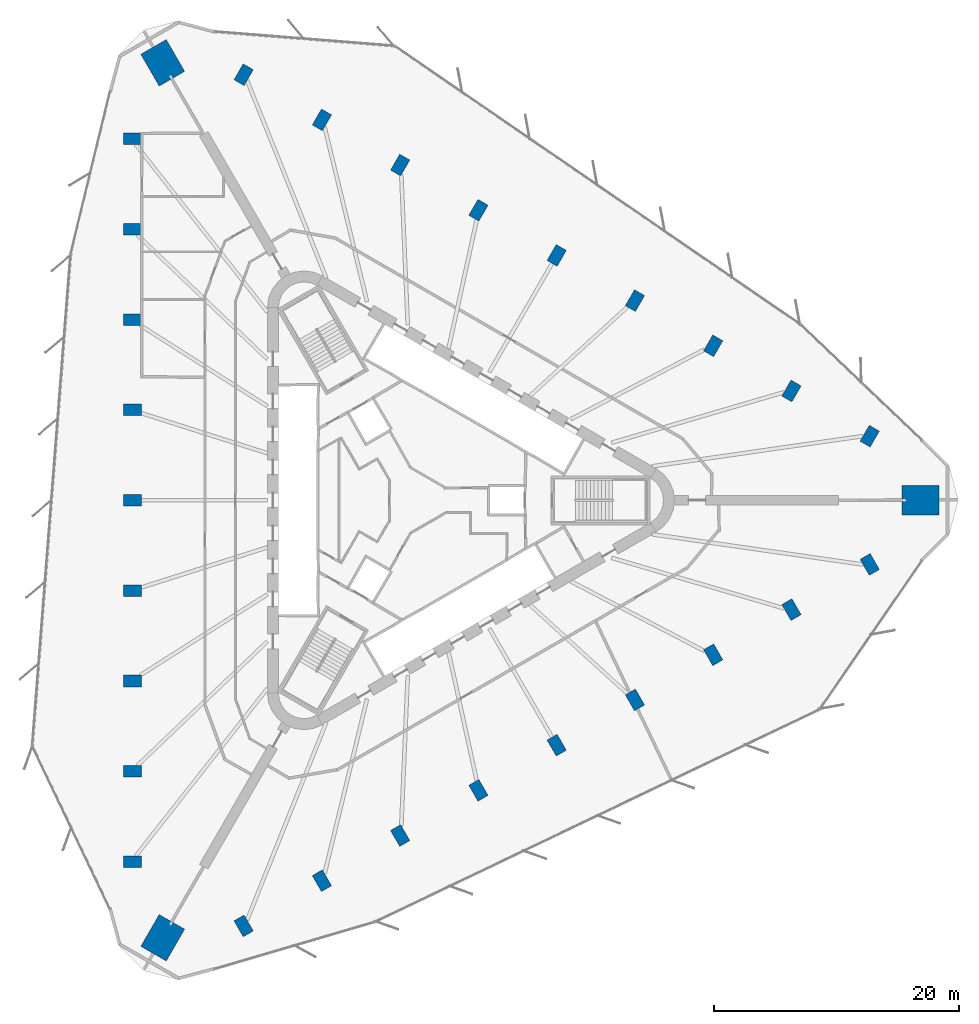
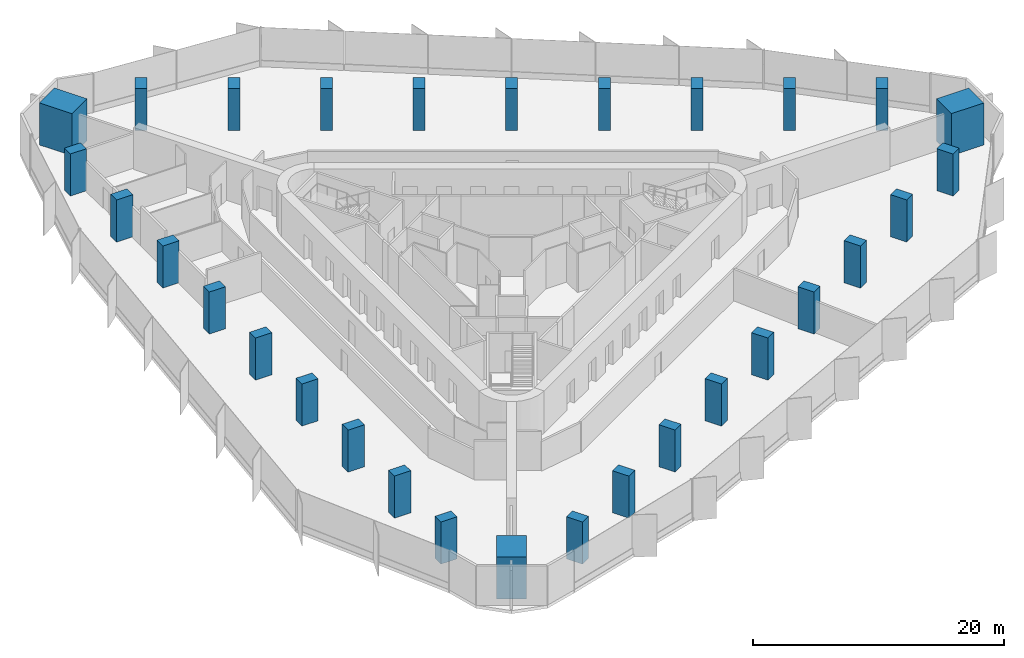
# One storey, part 1 of 14: 30 columns.
"""IFC4 building model written with IfcOpenShell, lengths in metres."""

from ifc_helpers import new_model, si_unit, direction, frame, origin, origin_2d, place, context, subcontext, project, spatial, rectangle, extrude, material, material_profile, profile_set, type_object, element, save


model = new_model("IFC4")

# Units and contexts
model_context = context("Model", 3, precision=1e-05, world=origin(), true_north=direction((0.0, 1.0)))
body_context = subcontext(model_context, "Body", "Model", "MODEL_VIEW")
ifc_project = project(units=[si_unit("LENGTHUNIT", "METRE"), si_unit("AREAUNIT", "SQUARE_METRE"), si_unit("VOLUMEUNIT", "CUBIC_METRE"), si_unit("PLANEANGLEUNIT", "RADIAN"), si_unit("MASSUNIT", "GRAM", prefix="KILO")], contexts=[model_context])

# Site, building, storey
site_placement = place(None, origin())
site = spatial("IfcSite", under=ifc_project, at=site_placement, CompositionType="ELEMENT")
building_placement = place(site_placement, origin())
building = spatial("IfcBuilding", under=site, at=building_placement, Name="Tanit Gate Tower", CompositionType="ELEMENT")
storey_placement = place(building_placement, frame((0.0, 0.0, 82.39990234375)))
storey = spatial("IfcBuildingStorey", under=building, at=storey_placement, Name="L16", CompositionType="ELEMENT", Elevation=82.39990234375)

# Columns
ifc_material_1 = material(Name="Concrete C70/85", Category="concrete")
ifc_material_profile_1 = material_profile(ifc_material_1, rectangle(XDim=3.0, YDim=2.39990234375, at=origin_2d()), Name="RC 3000x2400")
ifc_profile_set_1 = profile_set([ifc_material_profile_1], Name="Concrete C70/85")
column_type_1 = type_object("IfcColumnType", Name="MEGA COLUMN 3000x2400 C70/85", PredefinedType="COLUMN", material=ifc_profile_set_1)
for number, where, z_axis, x_axis, name in (
    (1, (41.318359375, 0.0, 0.0), (0.0, 0.0, 1.0), (1.0, 0.0, 0.0), "MEGA COLUMN"),
    (2, (-20.6591796875, 35.78271484375, 0.0), (0.0, 0.0, 1.0), (-0.5, 0.866025403784, 0.0), "MEGA COLUMN"),
    (3, (-20.6591796875, -35.78271484375, 0.0), (0.0, 0.0, 1.0), (-0.5, -0.866025403784, 0.0), "MEGA COLUMN"),
):
    element("IfcColumn", number, at=place(storey_placement, frame(where, z_axis=z_axis, x_axis=x_axis)), inside=storey, type_object=column_type_1, Name=name, PredefinedType="COLUMN", context=body_context, shape_type="SweptSolid", body=[
        extrude(rectangle(XDim=3.0, YDim=2.39990234375, at=origin_2d()), origin(), (0.0, 0.0, 1.0), 4.10009765625),
    ])
ifc_material_2 = material(Name="Concrete C60/75", Category="concrete")
ifc_material_profile_2 = material_profile(ifc_material_2, rectangle(XDim=1.5, YDim=0.949951171875, at=origin_2d()), Name="RC 1500x950")
ifc_profile_set_2 = profile_set([ifc_material_profile_2], Name="Concrete C60/75")
column_type_2 = type_object("IfcColumnType", Name="PERIMETER COLUMN 1500x950 C60/75", PredefinedType="COLUMN", material=ifc_profile_set_2)
for number, where, z_axis, x_axis, name in (
    (4, (-23.126708984375, 29.56591796875, 0.0), (0.0, 0.0, 1.0), (-1.0, 0.0, 0.0), "PERIMETER COLUMN"),
    (5, (-23.126708984375, 22.17431640625, 0.0), (0.0, 0.0, 1.0), (-1.0, 0.0, 0.0), "PERIMETER COLUMN"),
    (6, (-23.126708984375, 14.782958984375, 0.0), (0.0, 0.0, 1.0), (-1.0, 0.0, 0.0), "PERIMETER COLUMN"),
    (7, (-23.126708984375, 7.391357421875, 0.0), (0.0, 0.0, 1.0), (-1.0, 0.0, 0.0), "PERIMETER COLUMN"),
    (8, (-23.126708984375, 0.0, 0.0), (0.0, 0.0, 1.0), (-1.0, 0.0, 0.0), "PERIMETER COLUMN"),
    (9, (-23.126708984375, -7.391357421875, 0.0), (0.0, 0.0, 1.0), (-1.0, 0.0, 0.0), "PERIMETER COLUMN"),
    (10, (-23.126708984375, -14.782958984375, 0.0), (0.0, 0.0, 1.0), (-1.0, 0.0, 0.0), "PERIMETER COLUMN"),
    (11, (-23.126708984375, -22.17431640625, 0.0), (0.0, 0.0, 1.0), (-1.0, 0.0, 0.0), "PERIMETER COLUMN"),
    (12, (-23.126708984375, -29.56591796875, 0.0), (0.0, 0.0, 1.0), (-1.0, 0.0, 0.0), "PERIMETER COLUMN"),
    (13, (37.168212890625, 5.24560546875, 0.0), (0.0, 0.0, 1.0), (0.5, 0.866025403784, 0.0), "PERIMETER COLUMN"),
    (14, (30.766845703125, 8.941162109375, 0.0), (0.0, 0.0, 1.0), (0.5, 0.866025403784, 0.0), "PERIMETER COLUMN"),
    (15, (24.36572265625, 12.636962890625, 0.0), (0.0, 0.0, 1.0), (0.5, 0.866025403784, 0.0), "PERIMETER COLUMN"),
    (16, (17.964599609375, 16.332763671875, 0.0), (0.0, 0.0, 1.0), (0.5, 0.866025403784, 0.0), "PERIMETER COLUMN"),
    (17, (11.5634765625, 20.0283203125, 0.0), (0.0, 0.0, 1.0), (0.5, 0.866025403784, 0.0), "PERIMETER COLUMN"),
    (18, (5.162109375, 23.72412109375, 0.0), (0.0, 0.0, 1.0), (0.5, 0.866025403784, 0.0), "PERIMETER COLUMN"),
    (19, (-1.239013671875, 27.419921875, 0.0), (0.0, 0.0, 1.0), (0.5, 0.866025403784, 0.0), "PERIMETER COLUMN"),
    (20, (-7.64013671875, 31.115478515625, 0.0), (0.0, 0.0, 1.0), (0.5, 0.866025403784, 0.0), "PERIMETER COLUMN"),
    (21, (-14.041259765625, 34.811279296875, 0.0), (0.0, 0.0, 1.0), (0.5, 0.866025403784, 0.0), "PERIMETER COLUMN"),
    (22, (-14.041259765625, -34.811279296875, 0.0), (0.0, 0.0, 1.0), (0.5, -0.866025403784, 0.0), "PERIMETER COLUMN"),
    (23, (-7.64013671875, -31.115478515625, 0.0), (0.0, 0.0, 1.0), (0.5, -0.866025403784, 0.0), "PERIMETER COLUMN"),
    (24, (-1.239013671875, -27.419921875, 0.0), (0.0, 0.0, 1.0), (0.5, -0.866025403784, 0.0), "PERIMETER COLUMN"),
    (25, (5.162109375, -23.72412109375, 0.0), (0.0, 0.0, 1.0), (0.5, -0.866025403784, 0.0), "PERIMETER COLUMN"),
    (26, (11.5634765625, -20.0283203125, 0.0), (0.0, 0.0, 1.0), (0.5, -0.866025403784, 0.0), "PERIMETER COLUMN"),
    (27, (17.964599609375, -16.332763671875, 0.0), (0.0, 0.0, 1.0), (0.5, -0.866025403784, 0.0), "PERIMETER COLUMN"),
    (28, (24.36572265625, -12.636962890625, 0.0), (0.0, 0.0, 1.0), (0.5, -0.866025403784, 0.0), "PERIMETER COLUMN"),
    (29, (30.766845703125, -8.941162109375, 0.0), (0.0, 0.0, 1.0), (0.5, -0.866025403784, 0.0), "PERIMETER COLUMN"),
    (30, (37.168212890625, -5.24560546875, 0.0), (0.0, 0.0, 1.0), (0.5, -0.866025403784, 0.0), "PERIMETER COLUMN"),
):
    element("IfcColumn", number, at=place(storey_placement, frame(where, z_axis=z_axis, x_axis=x_axis)), inside=storey, type_object=column_type_2, Name=name, PredefinedType="COLUMN", context=body_context, shape_type="SweptSolid", body=[
        extrude(rectangle(XDim=1.5, YDim=0.949951171875, at=origin_2d()), origin(), (0.0, 0.0, 1.0), 4.10009765625),
    ])

save(model, "model.ifc")
